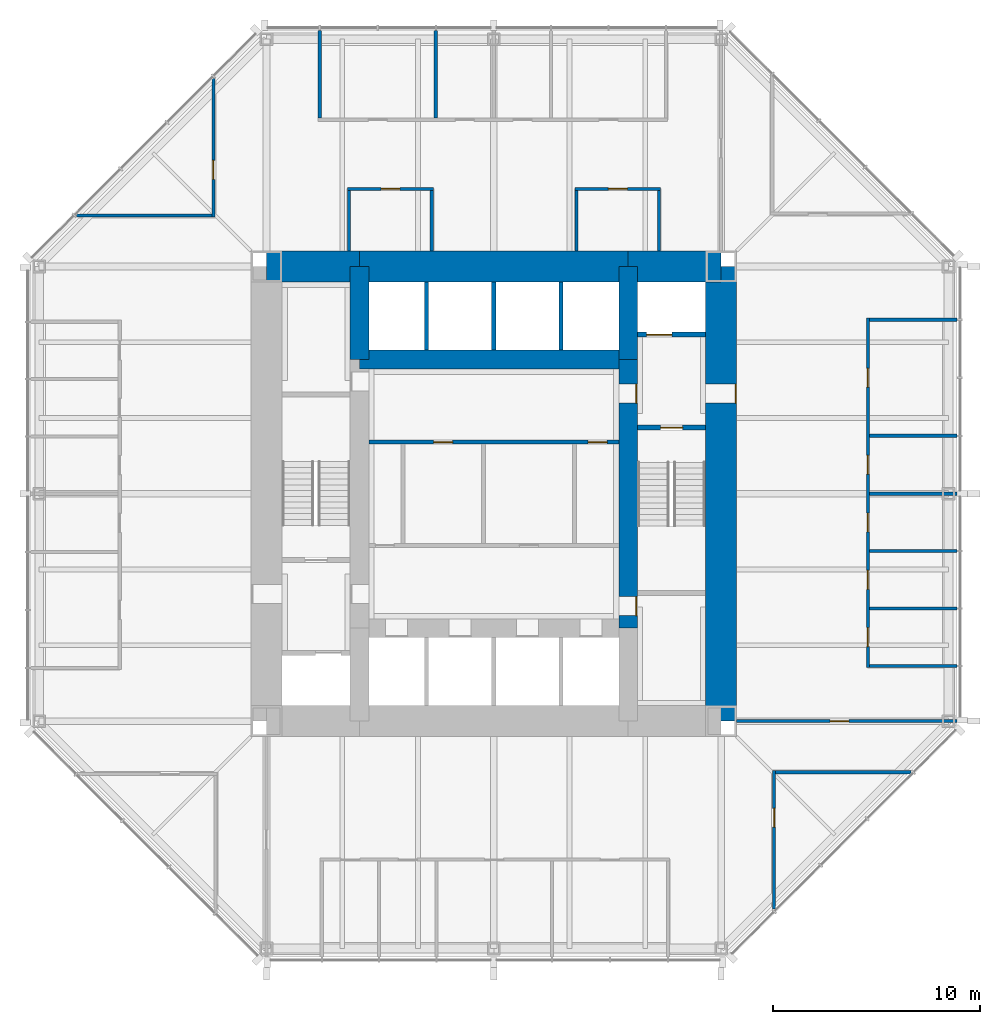
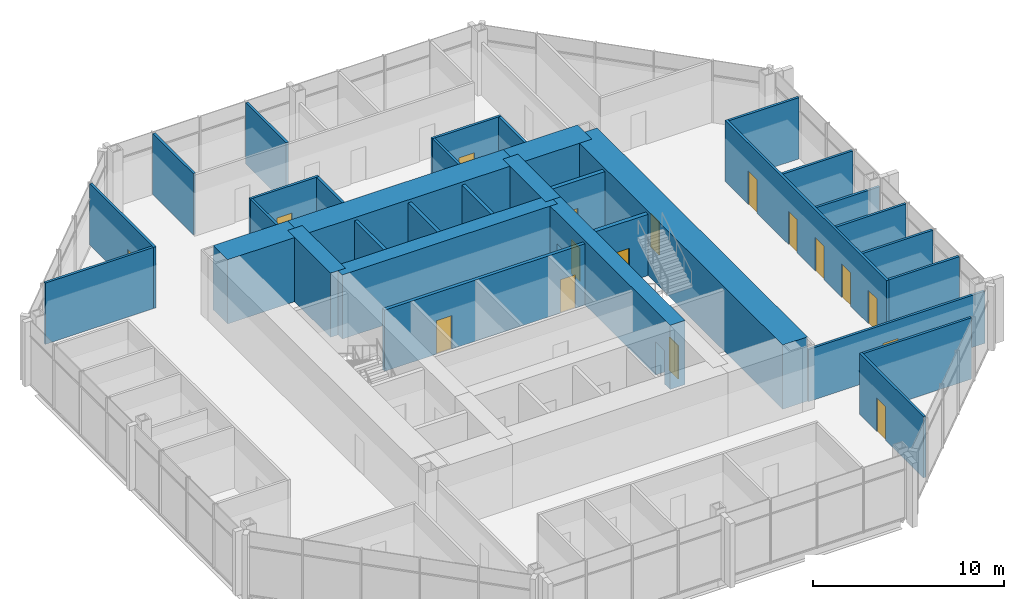
# One storey, part 10 of 12: 34 walls, 17 doors, 17 openings.
"""IFC4 building model written with IfcOpenShell, lengths in metres."""

from ifc_helpers import new_model, si_unit, direction, frame, frame_2d, origin, place, context, subcontext, project, spatial, rectangle, extrude, material, layer, layer_set, type_object, element, fill, save


model = new_model("IFC4")

# Units and contexts
model_context = context("Model", 3, precision=1e-05, world=origin(), true_north=direction((0.0, 1.0)))
body_context = subcontext(model_context, "Body", "Model", "MODEL_VIEW")
ifc_project = project(units=[si_unit("LENGTHUNIT", "METRE"), si_unit("AREAUNIT", "SQUARE_METRE"), si_unit("VOLUMEUNIT", "CUBIC_METRE"), si_unit("PLANEANGLEUNIT", "RADIAN"), si_unit("MASSUNIT", "GRAM", prefix="KILO")], contexts=[model_context])

# Site, building, storey
site_placement = place(None, origin())
site = spatial("IfcSite", under=ifc_project, at=site_placement, CompositionType="ELEMENT")
building_placement = place(site_placement, origin())
building = spatial("IfcBuilding", under=site, at=building_placement, Name="Trevanion Tower", CompositionType="ELEMENT")
storey_placement = place(building_placement, frame((0.0, 0.0, 162.300048828125)))
storey = spatial("IfcBuildingStorey", under=building, at=storey_placement, Name="L38", CompositionType="ELEMENT", Elevation=162.300048828125)

# Wall, opening, door
ifc_material_1 = material(Name="Concrete 10,000 psi", Category="concrete")
ifc_layer_1 = layer(ifc_material_1, 1.5)
ifc_layer_set_1 = layer_set([ifc_layer_1], Name="CW1 core wall 1500")
wall_type_1 = type_object("IfcWallType", Name="CW1 core wall 1500", PredefinedType="SHEAR", material=ifc_layer_set_1)
wall_1_placement = place(storey_placement, frame((11.0, -11.0, 0.0), z_axis=(0.0, 0.0, 1.0), x_axis=(0.0, 1.0, 0.0)))
wall_1 = element("IfcWall", 1, at=wall_1_placement, inside=storey, type_object=wall_type_1, Name="CW1 CE L38", PredefinedType="SHEAR", context=body_context, shape_type="SweptSolid", body=[
    extrude(rectangle(XDim=22.0, YDim=1.5, at=frame_2d((11.0, 0.0))), origin(), (0.0, 0.0, 1.0), 4.099853515625),
])
opening_1_placement = place(wall_1_placement, frame((15.392578125, 0.0, 0.0)))
opening_1 = element("IfcOpeningElement", 2, at=opening_1_placement, cuts=wall_1, Name="Opening 38-001", PredefinedType="OPENING", context=body_context, shape_type="SweptSolid", body=[
    extrude(rectangle(XDim=0.9150390625, YDim=2.134033203125, at=frame_2d((0.45751953125, 1.06689453125))), frame((0.0, 0.760009765625, 0.0), z_axis=(0.0, -1.0, 0.0), x_axis=(1.0, 0.0, 0.0)), (0.0, 0.0, 1.0), 1.52001953125),
])
ifc_material_2 = material(Name="Hollow metal, fire rated", Category="steel")
door_type_1 = type_object("IfcDoorType", Name="D3 fire lift lobby door", OperationType="SINGLE_SWING_RIGHT", PredefinedType="DOOR", material=ifc_material_2)
door_1_placement = place(opening_1_placement, origin())
door_1 = element("IfcDoor", 3, at=door_1_placement, inside=storey, type_object=door_type_1, Name="Door 38-001", OperationType="SINGLE_SWING_RIGHT", OverallHeight=2.134033203125, OverallWidth=0.9150390625, PredefinedType="DOOR", context=body_context, shape_type="SweptSolid", body=[
    extrude(rectangle(XDim=0.9150390625, YDim=2.134033203125, at=frame_2d((0.45751953125, 1.06689453125))), frame((0.0, -0.6748046875, 0.0), z_axis=(0.0, -1.0, 0.0), x_axis=(1.0, 0.0, 0.0)), (0.0, 0.0, 1.0), 0.050048828125),
])
fill(opening_1, door_1)

# Walls
wall_2_placement = place(storey_placement, frame((11.0, 11.0, 0.0), z_axis=(0.0, 0.0, 1.0), x_axis=(-1.0, 0.0, 0.0)))
element("IfcWall", 4, at=wall_2_placement, inside=storey, type_object=wall_type_1, Name="CW1 CN1 L38", PredefinedType="SHEAR", context=body_context, shape_type="SweptSolid", body=[
    extrude(rectangle(XDim=4.5, YDim=1.5, at=frame_2d((2.25, 0.0))), origin(), (0.0, 0.0, 1.0), 4.099853515625),
])
wall_3_placement = place(storey_placement, frame((6.5, 11.0, 0.0), z_axis=(0.0, 0.0, 1.0), x_axis=(-1.0, 0.0, 0.0)))
element("IfcWall", 5, at=wall_3_placement, inside=storey, type_object=wall_type_1, Name="CW1 CN2 L38", PredefinedType="SHEAR", context=body_context, shape_type="SweptSolid", body=[
    extrude(rectangle(XDim=13.0, YDim=1.5, at=frame_2d((6.5, 0.0))), origin(), (0.0, 0.0, 1.0), 4.099853515625),
])
wall_4_placement = place(storey_placement, frame((-6.5, 11.0, 0.0), z_axis=(0.0, 0.0, 1.0), x_axis=(-1.0, 0.0, 0.0)))
element("IfcWall", 6, at=wall_4_placement, inside=storey, type_object=wall_type_1, Name="CW1 CN3 L38", PredefinedType="SHEAR", context=body_context, shape_type="SweptSolid", body=[
    extrude(rectangle(XDim=4.5, YDim=1.5, at=frame_2d((2.25, 0.0))), origin(), (0.0, 0.0, 1.0), 4.099853515625),
])

# Wall, openings, doors
ifc_material_3 = material(Name="Concrete 10,000 psi", Category="concrete")
ifc_layer_2 = layer(ifc_material_3, 0.89990234375)
ifc_layer_set_2 = layer_set([ifc_layer_2], Name="CW2 core wall 900")
wall_type_2 = type_object("IfcWallType", Name="CW2 core wall 900", PredefinedType="SHEAR", material=ifc_layer_set_2)
wall_5_placement = place(storey_placement, frame((6.5, -6.5, 0.0), z_axis=(0.0, 0.0, 1.0), x_axis=(0.0, 1.0, 0.0)))
wall_5 = element("IfcWall", 7, at=wall_5_placement, inside=storey, type_object=wall_type_2, Name="CW2 RE2 L38", PredefinedType="SHEAR", context=body_context, shape_type="SweptSolid", body=[
    extrude(rectangle(XDim=13.0, YDim=0.89990234375, at=frame_2d((6.5, 0.0))), origin(), (0.0, 0.0, 1.0), 4.099853515625),
])
opening_2_placement = place(wall_5_placement, frame((10.892578125, 0.0, 0.0)))
opening_2 = element("IfcOpeningElement", 8, at=opening_2_placement, cuts=wall_5, Name="Opening 38-003", PredefinedType="OPENING", context=body_context, shape_type="SweptSolid", body=[
    extrude(rectangle(XDim=0.9150390625, YDim=2.134033203125, at=frame_2d((0.45751953125, 1.06689453125))), frame((0.0, 0.4599609375, 0.0), z_axis=(0.0, -1.0, 0.0), x_axis=(1.0, 0.0, 0.0)), (0.0, 0.0, 1.0), 0.919921875),
])
opening_3_placement = place(wall_5_placement, frame((0.610107421875, 0.0, 0.0)))
opening_3 = element("IfcOpeningElement", 9, at=opening_3_placement, cuts=wall_5, Name="Opening 38-009", PredefinedType="OPENING", context=body_context, shape_type="SweptSolid", body=[
    extrude(rectangle(XDim=0.9150390625, YDim=2.134033203125, at=frame_2d((0.45751953125, 1.06689453125))), frame((0.0, 0.4599609375, 0.0), z_axis=(0.0, -1.0, 0.0), x_axis=(1.0, 0.0, 0.0)), (0.0, 0.0, 1.0), 0.919921875),
])
door_2_placement = place(opening_2_placement, origin())
door_2 = element("IfcDoor", 10, at=door_2_placement, inside=storey, type_object=door_type_1, Name="Door 38-003", OperationType="SINGLE_SWING_RIGHT", OverallHeight=2.134033203125, OverallWidth=0.9150390625, PredefinedType="DOOR", context=body_context, shape_type="SweptSolid", body=[
    extrude(rectangle(XDim=0.9150390625, YDim=2.134033203125, at=frame_2d((0.45751953125, 1.06689453125))), frame((0.0, -0.375, 0.0), z_axis=(0.0, -1.0, 0.0), x_axis=(1.0, 0.0, 0.0)), (0.0, 0.0, 1.0), 0.050048828125),
])
fill(opening_2, door_2)
ifc_material_4 = material(Name="Hollow metal, fire rated", Category="steel")
door_type_2 = type_object("IfcDoorType", Name="D5 service room door", OperationType="SINGLE_SWING_RIGHT", PredefinedType="DOOR", material=ifc_material_4)
door_3_placement = place(opening_3_placement, origin())
door_3 = element("IfcDoor", 11, at=door_3_placement, inside=storey, type_object=door_type_2, Name="Door 38-009", OperationType="SINGLE_SWING_RIGHT", OverallHeight=2.134033203125, OverallWidth=0.9150390625, PredefinedType="DOOR", context=body_context, shape_type="SweptSolid", body=[
    extrude(rectangle(XDim=0.9150390625, YDim=2.134033203125, at=frame_2d((0.45751953125, 1.06689453125))), frame((0.0, -0.375, 0.0), z_axis=(0.0, -1.0, 0.0), x_axis=(1.0, 0.0, 0.0)), (0.0, 0.0, 1.0), 0.050048828125),
])
fill(opening_3, door_3)

# Walls
for number, where, z_axis, x_axis, name in (
    (12, (6.5, 6.5, 0.0), (0.0, 0.0, 1.0), (0.0, 1.0, 0.0), "CW2 RE3 L38"),
    (13, (-6.5, 11.0, 0.0), (0.0, 0.0, 1.0), (0.0, -1.0, 0.0), "CW2 RW1 L38"),
):
    element("IfcWall", number, at=place(storey_placement, frame(where, z_axis=z_axis, x_axis=x_axis)), inside=storey, type_object=wall_type_2, Name=name, PredefinedType="SHEAR", context=body_context, shape_type="SweptSolid", body=[
        extrude(rectangle(XDim=4.5, YDim=0.89990234375, at=frame_2d((2.25, 0.0))), origin(), (0.0, 0.0, 1.0), 4.099853515625),
    ])
wall_6_placement = place(storey_placement, frame((6.5, 6.5, 0.0), z_axis=(0.0, 0.0, 1.0), x_axis=(-1.0, 0.0, 0.0)))
element("IfcWall", 14, at=wall_6_placement, inside=storey, type_object=wall_type_2, Name="CW2 RN L38", PredefinedType="SHEAR", context=body_context, shape_type="SweptSolid", body=[
    extrude(rectangle(XDim=13.0, YDim=0.89990234375, at=frame_2d((6.5, 0.0))), origin(), (0.0, 0.0, 1.0), 4.099853515625),
])

# Wall, opening, door
ifc_material_5 = material(Name="Gypsum board on steel studs", Category="steel")
ifc_layer_3 = layer(ifc_material_5, 0.14990234375)
ifc_layer_set_3 = layer_set([ifc_layer_3], Name="PT1 partition 150")
wall_type_3 = type_object("IfcWallType", Name="PT1 partition 150", PredefinedType="PARTITIONING", material=ifc_layer_set_3)
wall_7_placement = place(storey_placement, frame((11.75, -11.0, 0.0), z_axis=(0.0, 0.0, 1.0), x_axis=(1.0, 0.0, 0.0)))
wall_7 = element("IfcWall", 15, at=wall_7_placement, inside=storey, type_object=wall_type_3, Name="PT1 L38 ZW3", PredefinedType="PARTITIONING", context=body_context, shape_type="SweptSolid", body=[
    extrude(rectangle(XDim=10.6650390625, YDim=0.14990234375, at=frame_2d((5.33251953125, 0.0))), origin(), (0.0, 0.0, 1.0), 3.32568359375),
])
opening_4_placement = place(wall_7_placement, frame((4.517578125, 0.0, 0.0)))
opening_4 = element("IfcOpeningElement", 16, at=opening_4_placement, cuts=wall_7, Name="Opening 38-021", PredefinedType="OPENING", context=body_context, shape_type="SweptSolid", body=[
    extrude(rectangle(XDim=0.9150390625, YDim=2.134033203125, at=frame_2d((0.45751953125, 1.06689453125))), frame((0.0, 0.0849609375, 0.0), z_axis=(0.0, -1.0, 0.0), x_axis=(1.0, 0.0, 0.0)), (0.0, 0.0, 1.0), 0.169921875),
])
ifc_material_6 = material(Name="Timber veneer, solid core", Category="wood")
door_type_3 = type_object("IfcDoorType", Name="D1 office and meeting room door", OperationType="SINGLE_SWING_LEFT", PredefinedType="DOOR", material=ifc_material_6)
door_4_placement = place(opening_4_placement, origin())
door_4 = element("IfcDoor", 17, at=door_4_placement, inside=storey, type_object=door_type_3, Name="Door 38-021", OperationType="SINGLE_SWING_LEFT", OverallHeight=2.134033203125, OverallWidth=0.9150390625, PredefinedType="DOOR", context=body_context, shape_type="SweptSolid", body=[
    extrude(rectangle(XDim=0.9150390625, YDim=2.134033203125, at=frame_2d((0.45751953125, 1.06689453125))), frame((0.0, 0.02490234375, 0.0), z_axis=(0.0, -1.0, 0.0), x_axis=(1.0, 0.0, 0.0)), (0.0, 0.0, 1.0), 0.050048828125),
])
fill(opening_4, door_4)

wall_8_placement = place(storey_placement, frame((-13.56591796875, 13.39892578125, 0.0), z_axis=(0.0, 0.0, 1.0), x_axis=(0.0, 1.0, 0.0)))
wall_8 = element("IfcWall", 18, at=wall_8_placement, inside=storey, type_object=wall_type_3, Name="PT1 L38 KW1a", PredefinedType="PARTITIONING", context=body_context, shape_type="SweptSolid", body=[
    extrude(rectangle(XDim=6.697998046875, YDim=0.14990234375, at=frame_2d((3.34912109375, 0.0))), origin(), (0.0, 0.0, 1.0), 3.909912109375),
])
opening_5_placement = place(wall_8_placement, frame((1.8173828125, 0.0, 0.0)))
opening_5 = element("IfcOpeningElement", 19, at=opening_5_placement, cuts=wall_8, Name="Opening 38-023", PredefinedType="OPENING", context=body_context, shape_type="SweptSolid", body=[
    extrude(rectangle(XDim=0.9150390625, YDim=2.134033203125, at=frame_2d((0.45751953125, 1.06689453125))), frame((0.0, 0.0849609375, 0.0), z_axis=(0.0, -1.0, 0.0), x_axis=(1.0, 0.0, 0.0)), (0.0, 0.0, 1.0), 0.169921875),
])
door_5_placement = place(opening_5_placement, origin())
door_5 = element("IfcDoor", 20, at=door_5_placement, inside=storey, type_object=door_type_3, Name="Door 38-023", OperationType="SINGLE_SWING_LEFT", OverallHeight=2.134033203125, OverallWidth=0.9150390625, PredefinedType="DOOR", context=body_context, shape_type="SweptSolid", body=[
    extrude(rectangle(XDim=0.9150390625, YDim=2.134033203125, at=frame_2d((0.45751953125, 1.06689453125))), frame((0.0, 0.02490234375, 0.0), z_axis=(0.0, -1.0, 0.0), x_axis=(1.0, 0.0, 0.0)), (0.0, 0.0, 1.0), 0.050048828125),
])
fill(opening_5, door_5)

# Wall
wall_9_placement = place(storey_placement, frame((-13.64111328125, 13.47412109375, 0.0), z_axis=(0.0, 0.0, 1.0), x_axis=(-1.0, 0.0, 0.0)))
element("IfcWall", 21, at=wall_9_placement, inside=storey, type_object=wall_type_3, Name="PT1 L38 KW1b", PredefinedType="PARTITIONING", context=body_context, shape_type="SweptSolid", body=[
    extrude(rectangle(XDim=6.5478515625, YDim=0.14990234375, at=frame_2d((3.27392578125, 0.0))), origin(), (0.0, 0.0, 1.0), 3.909912109375),
])

# Wall, opening, door
wall_10_placement = place(storey_placement, frame((13.56591796875, -13.39892578125, 0.0), z_axis=(0.0, 0.0, 1.0), x_axis=(0.0, -1.0, 0.0)))
wall_10 = element("IfcWall", 22, at=wall_10_placement, inside=storey, type_object=wall_type_3, Name="PT1 L38 KW3a", PredefinedType="PARTITIONING", context=body_context, shape_type="SweptSolid", body=[
    extrude(rectangle(XDim=6.697998046875, YDim=0.14990234375, at=frame_2d((3.34912109375, 0.0))), origin(), (0.0, 0.0, 1.0), 3.909912109375),
])
opening_6_placement = place(wall_10_placement, frame((1.8173828125, 0.0, 0.0)))
opening_6 = element("IfcOpeningElement", 23, at=opening_6_placement, cuts=wall_10, Name="Opening 38-025", PredefinedType="OPENING", context=body_context, shape_type="SweptSolid", body=[
    extrude(rectangle(XDim=0.9150390625, YDim=2.134033203125, at=frame_2d((0.45751953125, 1.06689453125))), frame((0.0, 0.0849609375, 0.0), z_axis=(0.0, -1.0, 0.0), x_axis=(1.0, 0.0, 0.0)), (0.0, 0.0, 1.0), 0.169921875),
])
door_6_placement = place(opening_6_placement, origin())
door_6 = element("IfcDoor", 24, at=door_6_placement, inside=storey, type_object=door_type_3, Name="Door 38-025", OperationType="SINGLE_SWING_LEFT", OverallHeight=2.134033203125, OverallWidth=0.9150390625, PredefinedType="DOOR", context=body_context, shape_type="SweptSolid", body=[
    extrude(rectangle(XDim=0.9150390625, YDim=2.134033203125, at=frame_2d((0.45751953125, 1.06689453125))), frame((0.0, 0.02490234375, 0.0), z_axis=(0.0, -1.0, 0.0), x_axis=(1.0, 0.0, 0.0)), (0.0, 0.0, 1.0), 0.050048828125),
])
fill(opening_6, door_6)

# Wall
wall_11_placement = place(storey_placement, frame((13.64111328125, -13.47412109375, 0.0), z_axis=(0.0, 0.0, 1.0), x_axis=(1.0, 0.0, 0.0)))
element("IfcWall", 25, at=wall_11_placement, inside=storey, type_object=wall_type_3, Name="PT1 L38 KW3b", PredefinedType="PARTITIONING", context=body_context, shape_type="SweptSolid", body=[
    extrude(rectangle(XDim=6.5478515625, YDim=0.14990234375, at=frame_2d((3.27392578125, 0.0))), origin(), (0.0, 0.0, 1.0), 3.909912109375),
])

# Wall, openings, doors
wall_12_placement = place(storey_placement, frame((18.10009765625, -8.39794921875, 0.0), z_axis=(0.0, 0.0, 1.0), x_axis=(0.0, 1.0, 0.0)))
wall_12 = element("IfcWall", 26, at=wall_12_placement, inside=storey, type_object=wall_type_3, Name="PT1 L38 FC0F", PredefinedType="PARTITIONING", context=body_context, shape_type="SweptSolid", body=[
    extrude(rectangle(XDim=16.89404296875, YDim=0.14990234375, at=frame_2d((8.447021484375, 0.0))), origin(), (0.0, 0.0, 1.0), 3.909912109375),
])
opening_7_placement = place(wall_12_placement, frame((1.00439453125, 0.0, 0.0)))
opening_7 = element("IfcOpeningElement", 27, at=opening_7_placement, cuts=wall_12, Name="Opening 38-026", PredefinedType="OPENING", context=body_context, shape_type="SweptSolid", body=[
    extrude(rectangle(XDim=0.9150390625, YDim=2.134033203125, at=frame_2d((0.45751953125, 1.06689453125))), frame((0.0, 0.0849609375, 0.0), z_axis=(0.0, -1.0, 0.0), x_axis=(1.0, 0.0, 0.0)), (0.0, 0.0, 1.0), 0.169921875),
])
opening_8_placement = place(wall_12_placement, frame((3.778564453125, 0.0, 0.0)))
opening_8 = element("IfcOpeningElement", 28, at=opening_8_placement, cuts=wall_12, Name="Opening 38-027", PredefinedType="OPENING", context=body_context, shape_type="SweptSolid", body=[
    extrude(rectangle(XDim=0.9150390625, YDim=2.134033203125, at=frame_2d((0.45751953125, 1.06689453125))), frame((0.0, 0.0849609375, 0.0), z_axis=(0.0, -1.0, 0.0), x_axis=(1.0, 0.0, 0.0)), (0.0, 0.0, 1.0), 0.169921875),
])
opening_9_placement = place(wall_12_placement, frame((6.552978515625, 0.0, 0.0)))
opening_9 = element("IfcOpeningElement", 29, at=opening_9_placement, cuts=wall_12, Name="Opening 38-028", PredefinedType="OPENING", context=body_context, shape_type="SweptSolid", body=[
    extrude(rectangle(XDim=0.9150390625, YDim=2.134033203125, at=frame_2d((0.45751953125, 1.06689453125))), frame((0.0, 0.0849609375, 0.0), z_axis=(0.0, -1.0, 0.0), x_axis=(1.0, 0.0, 0.0)), (0.0, 0.0, 1.0), 0.169921875),
])
opening_10_placement = place(wall_12_placement, frame((9.343994140625, 0.0, 0.0)))
opening_10 = element("IfcOpeningElement", 30, at=opening_10_placement, cuts=wall_12, Name="Opening 38-029", PredefinedType="OPENING", context=body_context, shape_type="SweptSolid", body=[
    extrude(rectangle(XDim=0.9150390625, YDim=2.134033203125, at=frame_2d((0.45751953125, 1.06689453125))), frame((0.0, 0.0849609375, 0.0), z_axis=(0.0, -1.0, 0.0), x_axis=(1.0, 0.0, 0.0)), (0.0, 0.0, 1.0), 0.169921875),
])
opening_11_placement = place(wall_12_placement, frame((13.554443359375, 0.0, 0.0)))
opening_11 = element("IfcOpeningElement", 31, at=opening_11_placement, cuts=wall_12, Name="Opening 38-030", PredefinedType="OPENING", context=body_context, shape_type="SweptSolid", body=[
    extrude(rectangle(XDim=0.9150390625, YDim=2.134033203125, at=frame_2d((0.45751953125, 1.06689453125))), frame((0.0, 0.0849609375, 0.0), z_axis=(0.0, -1.0, 0.0), x_axis=(1.0, 0.0, 0.0)), (0.0, 0.0, 1.0), 0.169921875),
])
door_7_placement = place(opening_7_placement, origin())
door_7 = element("IfcDoor", 32, at=door_7_placement, inside=storey, type_object=door_type_3, Name="Door 38-026", OperationType="SINGLE_SWING_LEFT", OverallHeight=2.134033203125, OverallWidth=0.9150390625, PredefinedType="DOOR", context=body_context, shape_type="SweptSolid", body=[
    extrude(rectangle(XDim=0.9150390625, YDim=2.134033203125, at=frame_2d((0.45751953125, 1.06689453125))), frame((0.0, 0.02490234375, 0.0), z_axis=(0.0, -1.0, 0.0), x_axis=(1.0, 0.0, 0.0)), (0.0, 0.0, 1.0), 0.050048828125),
])
fill(opening_7, door_7)
door_8_placement = place(opening_8_placement, origin())
door_8 = element("IfcDoor", 33, at=door_8_placement, inside=storey, type_object=door_type_3, Name="Door 38-027", OperationType="SINGLE_SWING_LEFT", OverallHeight=2.134033203125, OverallWidth=0.9150390625, PredefinedType="DOOR", context=body_context, shape_type="SweptSolid", body=[
    extrude(rectangle(XDim=0.9150390625, YDim=2.134033203125, at=frame_2d((0.45751953125, 1.06689453125))), frame((0.0, 0.02490234375, 0.0), z_axis=(0.0, -1.0, 0.0), x_axis=(1.0, 0.0, 0.0)), (0.0, 0.0, 1.0), 0.050048828125),
])
fill(opening_8, door_8)
door_9_placement = place(opening_9_placement, origin())
door_9 = element("IfcDoor", 34, at=door_9_placement, inside=storey, type_object=door_type_3, Name="Door 38-028", OperationType="SINGLE_SWING_LEFT", OverallHeight=2.134033203125, OverallWidth=0.9150390625, PredefinedType="DOOR", context=body_context, shape_type="SweptSolid", body=[
    extrude(rectangle(XDim=0.9150390625, YDim=2.134033203125, at=frame_2d((0.45751953125, 1.06689453125))), frame((0.0, 0.02490234375, 0.0), z_axis=(0.0, -1.0, 0.0), x_axis=(1.0, 0.0, 0.0)), (0.0, 0.0, 1.0), 0.050048828125),
])
fill(opening_9, door_9)
door_10_placement = place(opening_10_placement, origin())
door_10 = element("IfcDoor", 35, at=door_10_placement, inside=storey, type_object=door_type_3, Name="Door 38-029", OperationType="SINGLE_SWING_LEFT", OverallHeight=2.134033203125, OverallWidth=0.9150390625, PredefinedType="DOOR", context=body_context, shape_type="SweptSolid", body=[
    extrude(rectangle(XDim=0.9150390625, YDim=2.134033203125, at=frame_2d((0.45751953125, 1.06689453125))), frame((0.0, 0.02490234375, 0.0), z_axis=(0.0, -1.0, 0.0), x_axis=(1.0, 0.0, 0.0)), (0.0, 0.0, 1.0), 0.050048828125),
])
fill(opening_10, door_10)
door_11_placement = place(opening_11_placement, origin())
door_11 = element("IfcDoor", 36, at=door_11_placement, inside=storey, type_object=door_type_3, Name="Door 38-030", OperationType="SINGLE_SWING_LEFT", OverallHeight=2.134033203125, OverallWidth=0.9150390625, PredefinedType="DOOR", context=body_context, shape_type="SweptSolid", body=[
    extrude(rectangle(XDim=0.9150390625, YDim=2.134033203125, at=frame_2d((0.45751953125, 1.06689453125))), frame((0.0, 0.02490234375, 0.0), z_axis=(0.0, -1.0, 0.0), x_axis=(1.0, 0.0, 0.0)), (0.0, 0.0, 1.0), 0.050048828125),
])
fill(opening_11, door_11)

# Walls
for number, where, z_axis, x_axis, name in (
    (37, (18.175048828125, -8.322998046875, 0.0), (0.0, 0.0, 1.0), (1.0, 0.0, 0.0), "PT1 L38 FC0S0"),
    (38, (18.175048828125, -5.549072265625, 0.0), (0.0, 0.0, 1.0), (1.0, 0.0, 0.0), "PT1 L38 FC0S1"),
    (39, (18.175048828125, -2.77490234375, 0.0), (0.0, 0.0, 1.0), (1.0, 0.0, 0.0), "PT1 L38 FC0S2"),
):
    element("IfcWall", number, at=place(storey_placement, frame(where, z_axis=z_axis, x_axis=x_axis)), inside=storey, type_object=wall_type_3, Name=name, PredefinedType="PARTITIONING", context=body_context, shape_type="SweptSolid", body=[
        extrude(rectangle(XDim=4.239990234375, YDim=0.14990234375, at=frame_2d((2.1201171875, 0.0))), origin(), (0.0, 0.0, 1.0), 3.909912109375),
    ])
wall_13_placement = place(storey_placement, frame((18.175048828125, 0.0, 0.0), z_axis=(0.0, 0.0, 1.0), x_axis=(1.0, 0.0, 0.0)))
element("IfcWall", 40, at=wall_13_placement, inside=storey, type_object=wall_type_3, Name="PT1 L38 FC0S3", PredefinedType="PARTITIONING", context=body_context, shape_type="SweptSolid", body=[
    extrude(rectangle(XDim=4.239990234375, YDim=0.14990234375, at=frame_2d((2.1201171875, 0.0))), origin(), (0.0, 0.0, 1.0), 3.32568359375),
])
for number, where, z_axis, x_axis, name in (
    (41, (18.175048828125, 2.806884765625, 0.0), (0.0, 0.0, 1.0), (1.0, 0.0, 0.0), "PT1 L38 FC0S4"),
    (42, (18.175048828125, 8.4208984375, 0.0), (0.0, 0.0, 1.0), (1.0, 0.0, 0.0), "PT1 L38 FC0S6"),
    (43, (-2.806884765625, 18.175048828125, 0.0), (0.0, 0.0, 1.0), (0.0, 1.0, 0.0), "PT1 L38 FC1S4"),
    (44, (-8.4208984375, 18.175048828125, 0.0), (0.0, 0.0, 1.0), (0.0, 1.0, 0.0), "PT1 L38 FC1S6"),
):
    element("IfcWall", number, at=place(storey_placement, frame(where, z_axis=z_axis, x_axis=x_axis)), inside=storey, type_object=wall_type_3, Name=name, PredefinedType="PARTITIONING", context=body_context, shape_type="SweptSolid", body=[
        extrude(rectangle(XDim=4.239990234375, YDim=0.14990234375, at=frame_2d((2.1201171875, 0.0))), origin(), (0.0, 0.0, 1.0), 3.909912109375),
    ])

# Wall, opening, door
wall_14_placement = place(storey_placement, frame((8.074951171875, 14.75, 0.0), z_axis=(0.0, 0.0, 1.0), x_axis=(-1.0, 0.0, 0.0)))
wall_14 = element("IfcWall", 45, at=wall_14_placement, inside=storey, type_object=wall_type_3, Name="PT1 L38 IN10F", PredefinedType="PARTITIONING", context=body_context, shape_type="SweptSolid", body=[
    extrude(rectangle(XDim=4.14990234375, YDim=0.14990234375, at=frame_2d((2.074951171875, 0.0))), origin(), (0.0, 0.0, 1.0), 3.909912109375),
])
opening_12_placement = place(wall_14_placement, frame((1.617431640625, 0.0, 0.0)))
opening_12 = element("IfcOpeningElement", 46, at=opening_12_placement, cuts=wall_14, Name="Opening 38-044", PredefinedType="OPENING", context=body_context, shape_type="SweptSolid", body=[
    extrude(rectangle(XDim=0.9150390625, YDim=2.134033203125, at=frame_2d((0.45751953125, 1.06689453125))), frame((0.0, 0.0849609375, 0.0), z_axis=(0.0, -1.0, 0.0), x_axis=(1.0, 0.0, 0.0)), (0.0, 0.0, 1.0), 0.169921875),
])
door_12_placement = place(opening_12_placement, origin())
door_12 = element("IfcDoor", 47, at=door_12_placement, inside=storey, type_object=door_type_3, Name="Door 38-044", OperationType="SINGLE_SWING_LEFT", OverallHeight=2.134033203125, OverallWidth=0.9150390625, PredefinedType="DOOR", context=body_context, shape_type="SweptSolid", body=[
    extrude(rectangle(XDim=0.9150390625, YDim=2.134033203125, at=frame_2d((0.45751953125, 1.06689453125))), frame((0.0, 0.02490234375, 0.0), z_axis=(0.0, -1.0, 0.0), x_axis=(1.0, 0.0, 0.0)), (0.0, 0.0, 1.0), 0.050048828125),
])
fill(opening_12, door_12)

# Walls
for number, where, z_axis, x_axis, name in (
    (48, (8.0, 14.675048828125, 0.0), (0.0, 0.0, 1.0), (0.0, -1.0, 0.0), "PT1 L38 IN10S0"),
    (49, (4.0, 14.675048828125, 0.0), (0.0, 0.0, 1.0), (0.0, -1.0, 0.0), "PT1 L38 IN10S1"),
):
    element("IfcWall", number, at=place(storey_placement, frame(where, z_axis=z_axis, x_axis=x_axis)), inside=storey, type_object=wall_type_3, Name=name, PredefinedType="PARTITIONING", context=body_context, shape_type="SweptSolid", body=[
        extrude(rectangle(XDim=2.925048828125, YDim=0.14990234375, at=frame_2d((1.46240234375, 0.0))), origin(), (0.0, 0.0, 1.0), 3.909912109375),
    ])

# Wall, opening, door
wall_15_placement = place(storey_placement, frame((-2.925048828125, 14.75, 0.0), z_axis=(0.0, 0.0, 1.0), x_axis=(-1.0, 0.0, 0.0)))
wall_15 = element("IfcWall", 50, at=wall_15_placement, inside=storey, type_object=wall_type_3, Name="PT1 L38 IN11F", PredefinedType="PARTITIONING", context=body_context, shape_type="SweptSolid", body=[
    extrude(rectangle(XDim=4.14990234375, YDim=0.14990234375, at=frame_2d((2.074951171875, 0.0))), origin(), (0.0, 0.0, 1.0), 3.909912109375),
])
opening_13_placement = place(wall_15_placement, frame((1.617431640625, 0.0, 0.0)))
opening_13 = element("IfcOpeningElement", 51, at=opening_13_placement, cuts=wall_15, Name="Opening 38-045", PredefinedType="OPENING", context=body_context, shape_type="SweptSolid", body=[
    extrude(rectangle(XDim=0.9150390625, YDim=2.134033203125, at=frame_2d((0.45751953125, 1.06689453125))), frame((0.0, 0.0849609375, 0.0), z_axis=(0.0, -1.0, 0.0), x_axis=(1.0, 0.0, 0.0)), (0.0, 0.0, 1.0), 0.169921875),
])
door_13_placement = place(opening_13_placement, origin())
door_13 = element("IfcDoor", 52, at=door_13_placement, inside=storey, type_object=door_type_3, Name="Door 38-045", OperationType="SINGLE_SWING_LEFT", OverallHeight=2.134033203125, OverallWidth=0.9150390625, PredefinedType="DOOR", context=body_context, shape_type="SweptSolid", body=[
    extrude(rectangle(XDim=0.9150390625, YDim=2.134033203125, at=frame_2d((0.45751953125, 1.06689453125))), frame((0.0, 0.02490234375, 0.0), z_axis=(0.0, -1.0, 0.0), x_axis=(1.0, 0.0, 0.0)), (0.0, 0.0, 1.0), 0.050048828125),
])
fill(opening_13, door_13)

# Walls
for number, where, z_axis, x_axis, name in (
    (53, (-3.0, 14.675048828125, 0.0), (0.0, 0.0, 1.0), (0.0, -1.0, 0.0), "PT1 L38 IN11S0"),
    (54, (-7.0, 14.675048828125, 0.0), (0.0, 0.0, 1.0), (0.0, -1.0, 0.0), "PT1 L38 IN11S1"),
):
    element("IfcWall", number, at=place(storey_placement, frame(where, z_axis=z_axis, x_axis=x_axis)), inside=storey, type_object=wall_type_3, Name=name, PredefinedType="PARTITIONING", context=body_context, shape_type="SweptSolid", body=[
        extrude(rectangle(XDim=2.925048828125, YDim=0.14990234375, at=frame_2d((1.46240234375, 0.0))), origin(), (0.0, 0.0, 1.0), 3.909912109375),
    ])

# Wall, openings, doors
ifc_material_7 = material(Name="Concrete masonry, grouted", Category="masonry")
ifc_layer_4 = layer(ifc_material_7, 0.199951171875)
ifc_layer_set_4 = layer_set([ifc_layer_4], Name="PT2 partition 200 1 HR")
wall_type_4 = type_object("IfcWallType", Name="PT2 partition 200 1 HR", PredefinedType="PARTITIONING", material=ifc_layer_set_4)
wall_16_placement = place(storey_placement, frame((-6.050048828125, 2.5, 0.0), z_axis=(0.0, 0.0, 1.0), x_axis=(1.0, 0.0, 0.0)))
wall_16 = element("IfcWall", 55, at=wall_16_placement, inside=storey, type_object=wall_type_4, Name="PT2 L38 CP1", PredefinedType="PARTITIONING", context=body_context, shape_type="SweptSolid", body=[
    extrude(rectangle(XDim=12.10009765625, YDim=0.199951171875, at=frame_2d((6.050048828125, 0.0))), origin(), (0.0, 0.0, 1.0), 3.909912109375),
])
opening_14_placement = place(wall_16_placement, frame((3.142578125, 0.0, 0.0)))
opening_14 = element("IfcOpeningElement", 56, at=opening_14_placement, cuts=wall_16, Name="Opening 38-016", PredefinedType="OPENING", context=body_context, shape_type="SweptSolid", body=[
    extrude(rectangle(XDim=0.9150390625, YDim=2.134033203125, at=frame_2d((0.45751953125, 1.06689453125))), frame((0.0, 0.10986328125, 0.0), z_axis=(0.0, -1.0, 0.0), x_axis=(1.0, 0.0, 0.0)), (0.0, 0.0, 1.0), 0.219970703125),
])
opening_15_placement = place(wall_16_placement, frame((10.617431640625, 0.0, 0.0)))
opening_15 = element("IfcOpeningElement", 57, at=opening_15_placement, cuts=wall_16, Name="Opening 38-018", PredefinedType="OPENING", context=body_context, shape_type="SweptSolid", body=[
    extrude(rectangle(XDim=0.9150390625, YDim=2.134033203125, at=frame_2d((0.45751953125, 1.06689453125))), frame((0.0, 0.10986328125, 0.0), z_axis=(0.0, -1.0, 0.0), x_axis=(1.0, 0.0, 0.0)), (0.0, 0.0, 1.0), 0.219970703125),
])
ifc_material_8 = material(Name="Plastic laminate on fire-rated core", Category="wood")
door_type_4 = type_object("IfcDoorType", Name="D12 toilet door in a one hour wall", OperationType="SINGLE_SWING_LEFT", PredefinedType="DOOR", material=ifc_material_8)
door_14_placement = place(opening_14_placement, origin())
door_14 = element("IfcDoor", 58, at=door_14_placement, inside=storey, type_object=door_type_4, Name="Door 38-016", OperationType="SINGLE_SWING_LEFT", OverallHeight=2.134033203125, OverallWidth=0.9150390625, PredefinedType="DOOR", context=body_context, shape_type="SweptSolid", body=[
    extrude(rectangle(XDim=0.9150390625, YDim=2.134033203125, at=frame_2d((0.45751953125, 1.06689453125))), frame((0.0, 0.02490234375, 0.0), z_axis=(0.0, -1.0, 0.0), x_axis=(1.0, 0.0, 0.0)), (0.0, 0.0, 1.0), 0.050048828125),
])
fill(opening_14, door_14)
door_15_placement = place(opening_15_placement, origin())
door_15 = element("IfcDoor", 59, at=door_15_placement, inside=storey, type_object=door_type_4, Name="Door 38-018", OperationType="SINGLE_SWING_LEFT", OverallHeight=2.134033203125, OverallWidth=0.9150390625, PredefinedType="DOOR", context=body_context, shape_type="SweptSolid", body=[
    extrude(rectangle(XDim=0.9150390625, YDim=2.134033203125, at=frame_2d((0.45751953125, 1.06689453125))), frame((0.0, 0.02490234375, 0.0), z_axis=(0.0, -1.0, 0.0), x_axis=(1.0, 0.0, 0.0)), (0.0, 0.0, 1.0), 0.050048828125),
])
fill(opening_15, door_15)

# Walls
ifc_material_9 = material(Name="Concrete masonry, grouted", Category="masonry")
ifc_layer_5 = layer(ifc_material_9, 0.199951171875)
ifc_layer_set_5 = layer_set([ifc_layer_5], Name="PT2 partition 200 2 HR")
wall_type_5 = type_object("IfcWallType", Name="PT2 partition 200 2 HR", PredefinedType="PARTITIONING", material=ifc_layer_set_5)
for number, where, z_axis, x_axis, name in (
    (60, (-3.25, 6.949951171875, 0.0), (0.0, 0.0, 1.0), (0.0, 1.0, 0.0), "PT2 L38 NS0"),
    (61, (0.0, 6.949951171875, 0.0), (0.0, 0.0, 1.0), (0.0, 1.0, 0.0), "PT2 L38 NS1"),
    (62, (3.25, 6.949951171875, 0.0), (0.0, 0.0, 1.0), (0.0, 1.0, 0.0), "PT2 L38 NS2"),
):
    element("IfcWall", number, at=place(storey_placement, frame(where, z_axis=z_axis, x_axis=x_axis)), inside=storey, type_object=wall_type_5, Name=name, PredefinedType="PARTITIONING", context=body_context, shape_type="SweptSolid", body=[
        extrude(rectangle(XDim=3.300048828125, YDim=0.199951171875, at=frame_2d((1.64990234375, 0.0))), origin(), (0.0, 0.0, 1.0), 3.909912109375),
    ])

# Wall, opening, door
ifc_material_10 = material(Name="Concrete masonry, grouted, two-hour", Category="masonry")
ifc_layer_6 = layer(ifc_material_10, 0.25)
ifc_layer_set_6 = layer_set([ifc_layer_6], Name="PT3 partition 250 2 HR")
wall_type_6 = type_object("IfcWallType", Name="PT3 partition 250 2 HR", PredefinedType="PARTITIONING", material=ifc_layer_set_6)
wall_17_placement = place(storey_placement, frame((6.949951171875, 7.699951171875, 0.0), z_axis=(0.0, 0.0, 1.0), x_axis=(1.0, 0.0, 0.0)))
wall_17 = element("IfcWall", 63, at=wall_17_placement, inside=storey, type_object=wall_type_6, Name="PT3 L38 EP3", PredefinedType="PARTITIONING", context=body_context, shape_type="SweptSolid", body=[
    extrude(rectangle(XDim=3.300048828125, YDim=0.25, at=frame_2d((1.64990234375, 0.0))), origin(), (0.0, 0.0, 1.0), 3.909912109375),
])
opening_16_placement = place(wall_17_placement, frame((0.449951171875, 0.0, 0.0)))
opening_16 = element("IfcOpeningElement", 64, at=opening_16_placement, cuts=wall_17, Name="Opening 38-007", PredefinedType="OPENING", context=body_context, shape_type="SweptSolid", body=[
    extrude(rectangle(XDim=1.218994140625, YDim=2.134033203125, at=frame_2d((0.609375, 1.06689453125))), frame((0.0, 0.135009765625, 0.0), z_axis=(0.0, -1.0, 0.0), x_axis=(1.0, 0.0, 0.0)), (0.0, 0.0, 1.0), 0.27001953125),
])
ifc_material_11 = material(Name="Stainless steel, fire rated", Category="steel")
door_type_5 = type_object("IfcDoorType", Name="LD2 fire service lift landing door", OperationType="SLIDING_TO_LEFT", PredefinedType="DOOR", material=ifc_material_11)
door_16_placement = place(opening_16_placement, origin())
door_16 = element("IfcDoor", 65, at=door_16_placement, inside=storey, type_object=door_type_5, Name="Door 38-007", OperationType="SLIDING_TO_LEFT", OverallHeight=2.134033203125, OverallWidth=1.218994140625, PredefinedType="DOOR", context=body_context, shape_type="SweptSolid", body=[
    extrude(rectangle(XDim=1.218994140625, YDim=2.134033203125, at=frame_2d((0.609375, 1.06689453125))), frame((0.0, 0.02490234375, 0.0), z_axis=(0.0, -1.0, 0.0), x_axis=(1.0, 0.0, 0.0)), (0.0, 0.0, 1.0), 0.050048828125),
])
fill(opening_16, door_16)

ifc_material_12 = material(Name="Reinforced masonry, fully grouted", Category="masonry")
ifc_layer_7 = layer(ifc_material_12, 0.25)
ifc_layer_set_7 = layer_set([ifc_layer_7], Name="SW1 stair shaft wall 250")
wall_type_7 = type_object("IfcWallType", Name="SW1 stair shaft wall 250", PredefinedType="SOLIDWALL", material=ifc_layer_set_7)
wall_18_placement = place(storey_placement, frame((6.949951171875, 3.199951171875, 0.0), z_axis=(0.0, 0.0, 1.0), x_axis=(1.0, 0.0, 0.0)))
wall_18 = element("IfcWall", 66, at=wall_18_placement, inside=storey, type_object=wall_type_7, Name="SW1 L38 EP2", PredefinedType="SOLIDWALL", context=body_context, shape_type="SweptSolid", body=[
    extrude(rectangle(XDim=3.300048828125, YDim=0.25, at=frame_2d((1.64990234375, 0.0))), origin(), (0.0, 0.0, 1.0), 3.909912109375),
])
opening_17_placement = place(wall_18_placement, frame((1.116455078125, 0.0, 0.0)))
opening_17 = element("IfcOpeningElement", 67, at=opening_17_placement, cuts=wall_18, Name="Opening 38-005", PredefinedType="OPENING", context=body_context, shape_type="SweptSolid", body=[
    extrude(rectangle(XDim=1.06689453125, YDim=2.134033203125, at=frame_2d((0.533447265625, 1.06689453125))), frame((0.0, 0.135009765625, 0.0), z_axis=(0.0, -1.0, 0.0), x_axis=(1.0, 0.0, 0.0)), (0.0, 0.0, 1.0), 0.27001953125),
])
ifc_material_13 = material(Name="Hollow metal, fire rated", Category="steel")
door_type_6 = type_object("IfcDoorType", Name="D2 exit stair door", OperationType="SINGLE_SWING_LEFT", PredefinedType="DOOR", material=ifc_material_13)
door_17_placement = place(opening_17_placement, origin())
door_17 = element("IfcDoor", 68, at=door_17_placement, inside=storey, type_object=door_type_6, Name="Door 38-005", OperationType="SINGLE_SWING_LEFT", OverallHeight=2.134033203125, OverallWidth=1.06689453125, PredefinedType="DOOR", context=body_context, shape_type="SweptSolid", body=[
    extrude(rectangle(XDim=1.06689453125, YDim=2.134033203125, at=frame_2d((0.533447265625, 1.06689453125))), frame((0.0, 0.02490234375, 0.0), z_axis=(0.0, -1.0, 0.0), x_axis=(1.0, 0.0, 0.0)), (0.0, 0.0, 1.0), 0.050048828125),
])
fill(opening_17, door_17)

save(model, "model.ifc")
